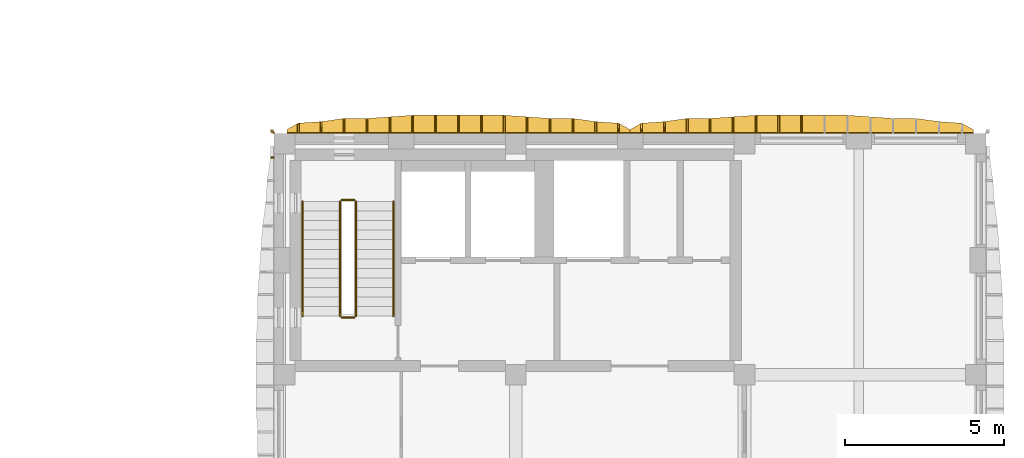
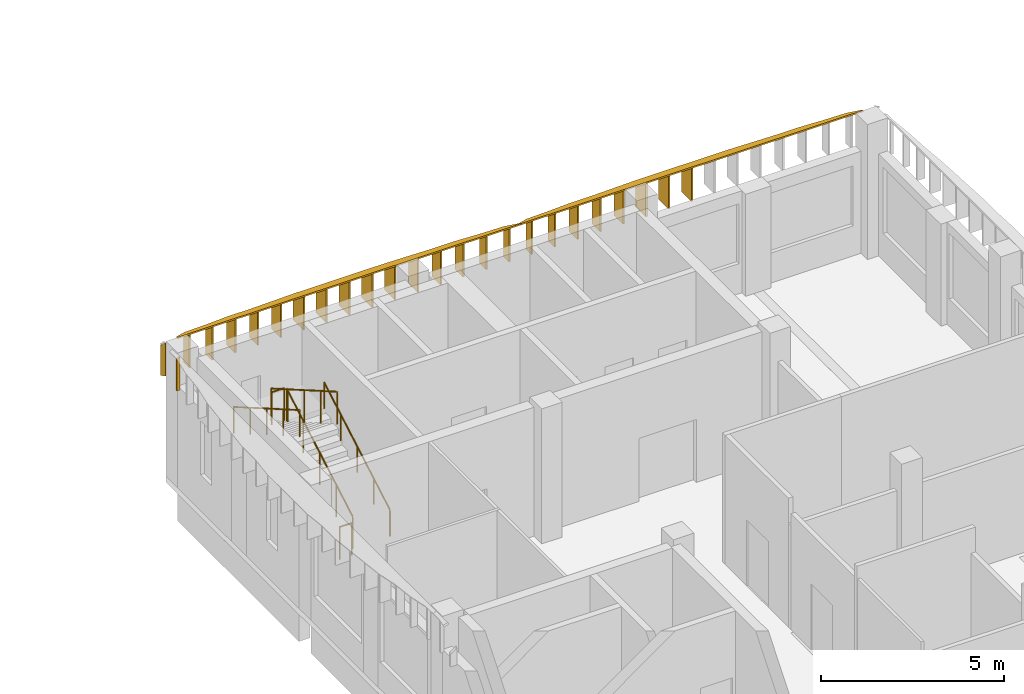
# One storey, part 15 of 24: 27 shading devices, 6 railings.
"""IFC4 building model written with IfcOpenShell, lengths in metres."""

from ifc_helpers import new_model, si_unit, direction, frame, origin, origin_2d, place, context, subcontext, project, spatial, polyline, circle, outline, extrude, material, layer, layer_set, type_object, element, save


model = new_model("IFC4")

# Units and contexts
model_context = context("Model", 3, precision=1e-05, world=origin(), true_north=direction((0.0, 1.0)))
body_context = subcontext(model_context, "Body", "Model", "MODEL_VIEW")
ifc_project = project(units=[si_unit("LENGTHUNIT", "METRE"), si_unit("AREAUNIT", "SQUARE_METRE"), si_unit("VOLUMEUNIT", "CUBIC_METRE"), si_unit("PLANEANGLEUNIT", "RADIAN"), si_unit("MASSUNIT", "GRAM", prefix="KILO")], contexts=[model_context])

# Site, building, storey
site_placement = place(None, origin())
site = spatial("IfcSite", under=ifc_project, at=site_placement, CompositionType="ELEMENT")
building_placement = place(site_placement, origin())
building = spatial("IfcBuilding", under=site, at=building_placement, Name="Ussher Court Research Institute", CompositionType="ELEMENT")
storey_placement = place(building_placement, frame((0.0, 0.0, 32.39990234375)))
storey = spatial("IfcBuildingStorey", under=building, at=storey_placement, Name="L07", CompositionType="ELEMENT", Elevation=32.39990234375)

# Shading devices
ifc_material_1 = material(Name="Bronze anodised aluminium", Category="aluminium")
ifc_layer_1 = layer(ifc_material_1, 0.050048828125)
ifc_layer_set_1 = layer_set([ifc_layer_1], Name="Bronze anodised aluminium")
shading_device_type_1 = type_object("IfcShadingDeviceType", Name="Brim blade 100 mm deep 1100 mm high canted 26 deg wet", PredefinedType="USERDEFINED", material=ifc_layer_set_1)
shading_device_1_placement = place(storey_placement, frame((81.800048828125, 32.43994140625, 3.35009765625), z_axis=(0.0, 0.0, 1.0), x_axis=(-1.0, 0.0, 0.0)))
element("IfcShadingDevice", 1, at=shading_device_1_placement, inside=storey, type_object=shading_device_type_1, Name="Brim blade BS10 L07", ObjectType="BLADE", PredefinedType="USERDEFINED", context=body_context, shape_type="SweptSolid", body=[
    extrude(outline(polyline([(0.0, 0.0), (0.10009765625, 0.0), (0.10009765625, 1.05126953125), (0.0, 1.10009765625), (0.0, 0.0)])), frame((0.0, 0.02490234375, 0.0), z_axis=(0.0, -1.0, 0.0), x_axis=(1.0, 0.0, 0.0)), (0.0, 0.0, 1.0), 0.050048828125),
])
ifc_material_2 = material(Name="Bronze anodised aluminium", Category="aluminium")
ifc_layer_2 = layer(ifc_material_2, 0.050048828125)
ifc_layer_set_2 = layer_set([ifc_layer_2], Name="Bronze anodised aluminium")
shading_device_type_2 = type_object("IfcShadingDeviceType", Name="Brim blade 300 mm deep 1100 mm high canted 26 deg wet", PredefinedType="USERDEFINED", material=ifc_layer_set_2)
for number, where, z_axis, x_axis, name in (
    (2, (82.56005859375, 33.199951171875, 3.35009765625), (0.0, 0.0, 1.0), (0.0, 1.0, 0.0), "Brim blade BS06 L07"),
    (3, (92.639892578125, 33.199951171875, 3.35009765625), (0.0, 0.0, 1.0), (0.0, 1.0, 0.0), "Brim blade BS06 L07"),
    (4, (93.360107421875, 33.199951171875, 3.35009765625), (0.0, 0.0, 1.0), (0.0, 1.0, 0.0), "Brim blade BS06 L07"),
):
    element("IfcShadingDevice", number, at=place(storey_placement, frame(where, z_axis=z_axis, x_axis=x_axis)), inside=storey, type_object=shading_device_type_2, Name=name, ObjectType="BLADE", PredefinedType="USERDEFINED", context=body_context, shape_type="SweptSolid", body=[
        extrude(outline(polyline([(0.0, 0.0), (0.300048828125, 0.0), (0.300048828125, 0.95361328125), (0.0, 1.10009765625), (0.0, 0.0)])), frame((0.0, 0.02490234375, 0.0), z_axis=(0.0, -1.0, 0.0), x_axis=(1.0, 0.0, 0.0)), (0.0, 0.0, 1.0), 0.050048828125),
    ])
ifc_material_3 = material(Name="Bronze anodised aluminium", Category="aluminium")
ifc_layer_3 = layer(ifc_material_3, 0.050048828125)
ifc_layer_set_3 = layer_set([ifc_layer_3], Name="Bronze anodised aluminium")
shading_device_type_3 = type_object("IfcShadingDeviceType", Name="Brim blade 350 mm deep 1100 mm high canted 26 deg wet", PredefinedType="USERDEFINED", material=ifc_layer_set_3)
for number, where, z_axis, x_axis, name in (
    (5, (83.280029296875, 33.199951171875, 3.35009765625), (0.0, 0.0, 1.0), (0.0, 1.0, 0.0), "Brim blade BS05 L07"),
    (6, (91.919921875, 33.199951171875, 3.35009765625), (0.0, 0.0, 1.0), (0.0, 1.0, 0.0), "Brim blade BS05 L07"),
    (7, (94.080078125, 33.199951171875, 3.35009765625), (0.0, 0.0, 1.0), (0.0, 1.0, 0.0), "Brim blade BS05 L07"),
):
    element("IfcShadingDevice", number, at=place(storey_placement, frame(where, z_axis=z_axis, x_axis=x_axis)), inside=storey, type_object=shading_device_type_3, Name=name, ObjectType="BLADE", PredefinedType="USERDEFINED", context=body_context, shape_type="SweptSolid", body=[
        extrude(outline(polyline([(0.0, 0.0), (0.35009765625, 0.0), (0.35009765625, 0.92919921875), (0.0, 1.10009765625), (0.0, 0.0)])), frame((0.0, 0.02490234375, 0.0), z_axis=(0.0, -1.0, 0.0), x_axis=(1.0, 0.0, 0.0)), (0.0, 0.0, 1.0), 0.050048828125),
    ])
ifc_material_4 = material(Name="Bronze anodised aluminium", Category="aluminium")
ifc_layer_4 = layer(ifc_material_4, 0.050048828125)
ifc_layer_set_4 = layer_set([ifc_layer_4], Name="Bronze anodised aluminium")
shading_device_type_4 = type_object("IfcShadingDeviceType", Name="Brim blade 450 mm deep 1100 mm high canted 26 deg wet", PredefinedType="USERDEFINED", material=ifc_layer_set_4)
for number, where, z_axis, x_axis, name in (
    (8, (84.0, 33.199951171875, 3.35009765625), (0.0, 0.0, 1.0), (0.0, 1.0, 0.0), "Brim blade BS03 L07"),
    (9, (84.719970703125, 33.199951171875, 3.35009765625), (0.0, 0.0, 1.0), (0.0, 1.0, 0.0), "Brim blade BS03 L07"),
    (10, (90.47998046875, 33.199951171875, 3.35009765625), (0.0, 0.0, 1.0), (0.0, 1.0, 0.0), "Brim blade BS03 L07"),
    (11, (91.199951171875, 33.199951171875, 3.35009765625), (0.0, 0.0, 1.0), (0.0, 1.0, 0.0), "Brim blade BS03 L07"),
    (12, (94.800048828125, 33.199951171875, 3.35009765625), (0.0, 0.0, 1.0), (0.0, 1.0, 0.0), "Brim blade BS03 L07"),
    (13, (95.52001953125, 33.199951171875, 3.35009765625), (0.0, 0.0, 1.0), (0.0, 1.0, 0.0), "Brim blade BS03 L07"),
):
    element("IfcShadingDevice", number, at=place(storey_placement, frame(where, z_axis=z_axis, x_axis=x_axis)), inside=storey, type_object=shading_device_type_4, Name=name, ObjectType="BLADE", PredefinedType="USERDEFINED", context=body_context, shape_type="SweptSolid", body=[
        extrude(outline(polyline([(0.0, 0.0), (0.449951171875, 0.0), (0.449951171875, 0.880615234375), (0.0, 1.10009765625), (0.0, 0.0)])), frame((0.0, 0.02490234375, 0.0), z_axis=(0.0, -1.0, 0.0), x_axis=(1.0, 0.0, 0.0)), (0.0, 0.0, 1.0), 0.050048828125),
    ])
ifc_material_5 = material(Name="Bronze anodised aluminium", Category="aluminium")
ifc_layer_5 = layer(ifc_material_5, 0.050048828125)
ifc_layer_set_5 = layer_set([ifc_layer_5], Name="Bronze anodised aluminium")
shading_device_type_5 = type_object("IfcShadingDeviceType", Name="Brim blade 500 mm deep 1100 mm high canted 26 deg wet", PredefinedType="USERDEFINED", material=ifc_layer_set_5)
for number, where, z_axis, x_axis, name in (
    (14, (85.43994140625, 33.199951171875, 3.35009765625), (0.0, 0.0, 1.0), (0.0, 1.0, 0.0), "Brim blade BS02 L07"),
    (15, (89.760009765625, 33.199951171875, 3.35009765625), (0.0, 0.0, 1.0), (0.0, 1.0, 0.0), "Brim blade BS02 L07"),
    (16, (96.239990234375, 33.199951171875, 3.35009765625), (0.0, 0.0, 1.0), (0.0, 1.0, 0.0), "Brim blade BS02 L07"),
):
    element("IfcShadingDevice", number, at=place(storey_placement, frame(where, z_axis=z_axis, x_axis=x_axis)), inside=storey, type_object=shading_device_type_5, Name=name, ObjectType="BLADE", PredefinedType="USERDEFINED", context=body_context, shape_type="SweptSolid", body=[
        extrude(outline(polyline([(0.0, 0.0), (0.5, 0.0), (0.5, 0.856201171875), (0.0, 1.10009765625), (0.0, 0.0)])), frame((0.0, 0.02490234375, 0.0), z_axis=(0.0, -1.0, 0.0), x_axis=(1.0, 0.0, 0.0)), (0.0, 0.0, 1.0), 0.050048828125),
    ])
ifc_material_6 = material(Name="Bronze anodised aluminium", Category="aluminium")
ifc_layer_6 = layer(ifc_material_6, 0.050048828125)
ifc_layer_set_6 = layer_set([ifc_layer_6], Name="Bronze anodised aluminium")
shading_device_type_6 = type_object("IfcShadingDeviceType", Name="Brim blade 550 mm deep 1100 mm high canted 26 deg wet", PredefinedType="USERDEFINED", material=ifc_layer_set_6)
for number, where, z_axis, x_axis, name in (
    (17, (86.159912109375, 33.199951171875, 3.35009765625), (0.0, 0.0, 1.0), (0.0, 1.0, 0.0), "Brim blade BS01 L07"),
    (18, (86.8798828125, 33.199951171875, 3.35009765625), (0.0, 0.0, 1.0), (0.0, 1.0, 0.0), "Brim blade BS01 L07"),
    (19, (87.60009765625, 33.199951171875, 3.35009765625), (0.0, 0.0, 1.0), (0.0, 1.0, 0.0), "Brim blade BS01 L07"),
    (20, (88.320068359375, 33.199951171875, 3.35009765625), (0.0, 0.0, 1.0), (0.0, 1.0, 0.0), "Brim blade BS01 L07"),
    (21, (89.0400390625, 33.199951171875, 3.35009765625), (0.0, 0.0, 1.0), (0.0, 1.0, 0.0), "Brim blade BS01 L07"),
    (22, (96.9599609375, 33.199951171875, 3.35009765625), (0.0, 0.0, 1.0), (0.0, 1.0, 0.0), "Brim blade BS01 L07"),
    (23, (97.679931640625, 33.199951171875, 3.35009765625), (0.0, 0.0, 1.0), (0.0, 1.0, 0.0), "Brim blade BS01 L07"),
    (24, (98.39990234375, 33.199951171875, 3.35009765625), (0.0, 0.0, 1.0), (0.0, 1.0, 0.0), "Brim blade BS01 L07"),
):
    element("IfcShadingDevice", number, at=place(storey_placement, frame(where, z_axis=z_axis, x_axis=x_axis)), inside=storey, type_object=shading_device_type_6, Name=name, ObjectType="BLADE", PredefinedType="USERDEFINED", context=body_context, shape_type="SweptSolid", body=[
        extrude(outline(polyline([(0.0, 0.0), (0.550048828125, 0.0), (0.550048828125, 0.831787109375), (0.0, 1.10009765625), (0.0, 0.0)])), frame((0.0, 0.02490234375, 0.0), z_axis=(0.0, -1.0, 0.0), x_axis=(1.0, 0.0, 0.0)), (0.0, 0.0, 1.0), 0.050048828125),
    ])
ifc_material_7 = material(Name="Bronze anodised aluminium", Category="aluminium")
ifc_layer_7 = layer(ifc_material_7, 0.050048828125)
ifc_layer_set_7 = layer_set([ifc_layer_7], Name="Bronze anodised aluminium")
shading_device_type_7 = type_object("IfcShadingDeviceType", Name="Brim mitre blade 100 mm deep 1100 mm high canted 26 deg wet", PredefinedType="USERDEFINED", material=ifc_layer_set_7)
shading_device_2_placement = place(storey_placement, frame((81.800048828125, 33.199951171875, 3.35009765625), z_axis=(0.0, 0.0, 1.0), x_axis=(-0.707106781187, 0.707106781187, 0.0)))
element("IfcShadingDevice", 25, at=shading_device_2_placement, inside=storey, type_object=shading_device_type_7, Name="Brim mitre blade BS18 L07", ObjectType="BLADE", PredefinedType="USERDEFINED", context=body_context, shape_type="SweptSolid", body=[
    extrude(outline(polyline([(0.0, 0.0), (0.1416015625, 0.0), (0.141357421875, 1.00244140625), (0.0, 1.10009765625), (0.0, 0.0)])), frame((0.0, 0.02490234375, 0.0), z_axis=(0.0, -1.0, 0.0), x_axis=(1.0, 0.0, 0.0)), (0.0, 0.0, 1.0), 0.050048828125),
])
ifc_material_8 = material(Name="Bronze anodised aluminium", Category="aluminium")
ifc_layer_8 = layer(ifc_material_8, 0.0400390625)
ifc_layer_set_8 = layer_set([ifc_layer_8], Name="Bronze anodised aluminium")
shading_device_type_8 = type_object("IfcShadingDeviceType", Name="Brim visor sheet 40 mm canted 26 deg wet", PredefinedType="USERDEFINED", material=ifc_layer_set_8)
shading_device_3_placement = place(storey_placement, frame((82.199951171875, 33.217529296875, 4.486083984375), z_axis=(0.0, 0.438493442835, 0.898734388232), x_axis=(1.0, 0.0, 0.0)))
element("IfcShadingDevice", 26, at=shading_device_3_placement, inside=storey, type_object=shading_device_type_8, Name="Brim visor sheet BR1 L07", ObjectType="BRIM", PredefinedType="USERDEFINED", context=body_context, shape_type="SweptSolid", body=[
    extrude(outline(polyline([(0.0, 0.0), (10.800048828125, 0.0), (10.800048828125, 0.11115260091647443), (10.43994140625, 0.3338966378999272), (9.719970703125, 0.3893632295705384), (9.0, 0.5006281939990725), (8.280029296875, 0.5006281939990725), (7.56005859375, 0.5563142032449357), (6.840087890625, 0.612000212490799), (6.1201171875, 0.612000212490799), (5.400146484375, 0.612000212490799), (4.679931640625, 0.612000212490799), (3.9599609375, 0.612000212490799), (3.239990234375, 0.5563142032449357), (2.52001953125, 0.5006281939990725), (1.800048828125, 0.5006281939990725), (1.080078125, 0.3893632295705384), (0.360107421875, 0.3338966378999272), (0.0, 0.11115260091647443), (0.0, 0.0)])), origin(), (0.0, 0.0, -1.0), 0.0400390625),
])
shading_device_4_placement = place(storey_placement, frame((93.0, 33.217529296875, 4.486083984375), z_axis=(0.0, 0.438493442835, 0.898734388232), x_axis=(1.0, 0.0, 0.0)))
element("IfcShadingDevice", 27, at=shading_device_4_placement, inside=storey, type_object=shading_device_type_8, Name="Brim visor sheet BR1 L07", ObjectType="BRIM", PredefinedType="USERDEFINED", context=body_context, shape_type="SweptSolid", body=[
    extrude(outline(polyline([(0.0, 0.0), (10.800048828125, 0.0), (10.800048828125, 0.11115260091647443), (10.43994140625, 0.3338966378999272), (9.719970703125, 0.3893632295705384), (9.0, 0.5006281939990725), (8.280029296875, 0.5006281939990725), (7.56005859375, 0.5563142032449357), (6.840087890625, 0.612000212490799), (6.1201171875, 0.612000212490799), (5.39990234375, 0.612000212490799), (4.679931640625, 0.612000212490799), (3.9599609375, 0.612000212490799), (3.239990234375, 0.5563142032449357), (2.52001953125, 0.5006281939990725), (1.800048828125, 0.5006281939990725), (1.080078125, 0.3893632295705384), (0.360107421875, 0.3338966378999272), (0.0, 0.11115260091647443), (0.0, 0.0)])), origin(), (0.0, 0.0, -1.0), 0.0400390625),
])

# Railings
ifc_material_9 = material(Name="Painted steel balustrade", Category="steel")
railing_type_1 = type_object("IfcRailingType", Name="Stair guard 1100 steel balustrade", PredefinedType="GUARDRAIL", material=ifc_material_9)
railing_1_placement = place(storey_placement, frame((84.3701171875, 27.449951171875, 0.173095703125)))
element("IfcRailing", 28, at=railing_1_placement, inside=storey, type_object=railing_type_1, Name="L07 T1 stair guard 1", PredefinedType="GUARDRAIL", context=body_context, shape_type="SweptSolid", body=[
    extrude(circle(Radius=0.02392578125, at=origin_2d()), frame((0.0, 0.0, 1.076171875), z_axis=(0.0, 0.866193409371, 0.499708892819), x_axis=(-1.0, 0.0, 0.0)), (0.0, 0.0, 1.0), 4.15625),
    extrude(circle(Radius=0.02099609375, at=origin_2d()), origin(), (0.0, 0.0, 1.0), 1.052001953125),
    extrude(circle(Radius=0.02099609375, at=origin_2d()), frame((0.0, 0.89990234375, 0.519287109375)), (0.0, 0.0, 1.0), 1.052001953125),
    extrude(circle(Radius=0.02099609375, at=origin_2d()), frame((0.0, 1.800048828125, 1.03857421875)), (0.0, 0.0, 1.0), 1.052001953125),
    extrude(circle(Radius=0.02099609375, at=origin_2d()), frame((0.0, 2.7001953125, 1.5576171875)), (0.0, 0.0, 1.0), 1.052001953125),
    extrude(circle(Radius=0.02099609375, at=origin_2d()), frame((0.0, 3.60009765625, 2.076904296875)), (0.0, 0.0, 1.0), 1.052001953125),
])
railing_2_placement = place(storey_placement, frame((84.320068359375, 31.10009765625, 2.25)))
element("IfcRailing", 29, at=railing_2_placement, inside=storey, type_object=railing_type_1, Name="L07 T1 stair guard 2", PredefinedType="GUARDRAIL", context=body_context, shape_type="SweptSolid", body=[
    extrude(circle(Radius=0.02392578125, at=origin_2d()), frame((0.0, 0.0, 1.076171875), z_axis=(-1.0, 0.0, 0.0), x_axis=(0.0, -1.0, 0.0)), (0.0, 0.0, 1.0), 0.39013671875),
    extrude(circle(Radius=0.02099609375, at=origin_2d()), origin(), (0.0, 0.0, 1.0), 1.052001953125),
    extrude(circle(Radius=0.02099609375, at=origin_2d()), frame((-0.39013671875, 0.0, 0.0)), (0.0, 0.0, 1.0), 1.052001953125),
])
railing_3_placement = place(storey_placement, frame((83.8798828125, 31.050048828125, 2.423095703125)))
element("IfcRailing", 30, at=railing_3_placement, inside=storey, type_object=railing_type_1, Name="L07 T1 stair guard 3", PredefinedType="GUARDRAIL", context=body_context, shape_type="SweptSolid", body=[
    extrude(circle(Radius=0.02392578125, at=origin_2d()), frame((0.0, 0.0, 1.076171875), z_axis=(0.0, -0.866193409371, 0.499708892819), x_axis=(1.0, 0.0, 0.0)), (0.0, 0.0, 1.0), 4.15625),
    extrude(circle(Radius=0.02099609375, at=origin_2d()), origin(), (0.0, 0.0, 1.0), 1.052001953125),
    extrude(circle(Radius=0.02099609375, at=origin_2d()), frame((0.0, -0.89990234375, 0.519287109375)), (0.0, 0.0, 1.0), 1.052001953125),
    extrude(circle(Radius=0.02099609375, at=origin_2d()), frame((0.0, -1.800048828125, 1.03857421875)), (0.0, 0.0, 1.0), 1.052001953125),
    extrude(circle(Radius=0.02099609375, at=origin_2d()), frame((0.0, -2.7001953125, 1.5576171875)), (0.0, 0.0, 1.0), 1.052001953125),
    extrude(circle(Radius=0.02099609375, at=origin_2d()), frame((0.0, -3.60009765625, 2.076904296875)), (0.0, 0.0, 1.0), 1.052001953125),
])
railing_4_placement = place(storey_placement, frame((84.320068359375, 27.39990234375, 0.0)))
element("IfcRailing", 31, at=railing_4_placement, inside=storey, type_object=railing_type_1, Name="L07 T1 stair guard 4", PredefinedType="GUARDRAIL", context=body_context, shape_type="SweptSolid", body=[
    extrude(circle(Radius=0.02392578125, at=origin_2d()), frame((0.0, 0.0, 1.076171875), z_axis=(-1.0, 0.0, 0.0), x_axis=(0.0, -1.0, 0.0)), (0.0, 0.0, 1.0), 0.39013671875),
    extrude(circle(Radius=0.02099609375, at=origin_2d()), origin(), (0.0, 0.0, 1.0), 1.052001953125),
    extrude(circle(Radius=0.02099609375, at=origin_2d()), frame((-0.39013671875, 0.0, 0.0)), (0.0, 0.0, 1.0), 1.052001953125),
])
ifc_material_10 = material(Name="Painted steel handrail", Category="steel")
railing_type_2 = type_object("IfcRailingType", Name="Stair handrail 900 steel", PredefinedType="HANDRAIL", material=ifc_material_10)
railing_5_placement = place(storey_placement, frame((85.550048828125, 27.449951171875, 0.173095703125)))
element("IfcRailing", 32, at=railing_5_placement, inside=storey, type_object=railing_type_2, Name="L07 T1 stair handrail 1", PredefinedType="HANDRAIL", context=body_context, shape_type="SweptSolid", body=[
    extrude(circle(Radius=0.02392578125, at=origin_2d()), frame((0.0, 0.0, 0.8759765625), z_axis=(0.0, 0.866193409371, 0.499708892819), x_axis=(-1.0, 0.0, 0.0)), (0.0, 0.0, 1.0), 4.15625),
    extrude(circle(Radius=0.02099609375, at=origin_2d()), origin(), (0.0, 0.0, 1.0), 0.851806640625),
    extrude(circle(Radius=0.02099609375, at=origin_2d()), frame((0.0, 0.89990234375, 0.519287109375)), (0.0, 0.0, 1.0), 0.851806640625),
    extrude(circle(Radius=0.02099609375, at=origin_2d()), frame((0.0, 1.800048828125, 1.03857421875)), (0.0, 0.0, 1.0), 0.851806640625),
    extrude(circle(Radius=0.02099609375, at=origin_2d()), frame((0.0, 2.7001953125, 1.5576171875)), (0.0, 0.0, 1.0), 0.851806640625),
    extrude(circle(Radius=0.02099609375, at=origin_2d()), frame((0.0, 3.60009765625, 2.076904296875)), (0.0, 0.0, 1.0), 0.851806640625),
])
railing_6_placement = place(storey_placement, frame((82.699951171875, 31.050048828125, 2.423095703125)))
element("IfcRailing", 33, at=railing_6_placement, inside=storey, type_object=railing_type_2, Name="L07 T1 stair handrail 2", PredefinedType="HANDRAIL", context=body_context, shape_type="SweptSolid", body=[
    extrude(circle(Radius=0.02392578125, at=origin_2d()), frame((0.0, 0.0, 0.8759765625), z_axis=(0.0, -0.866193409371, 0.499708892819), x_axis=(1.0, 0.0, 0.0)), (0.0, 0.0, 1.0), 4.15625),
    extrude(circle(Radius=0.02099609375, at=origin_2d()), origin(), (0.0, 0.0, 1.0), 0.851806640625),
    extrude(circle(Radius=0.02099609375, at=origin_2d()), frame((0.0, -0.89990234375, 0.519287109375)), (0.0, 0.0, 1.0), 0.851806640625),
    extrude(circle(Radius=0.02099609375, at=origin_2d()), frame((0.0, -1.800048828125, 1.03857421875)), (0.0, 0.0, 1.0), 0.851806640625),
    extrude(circle(Radius=0.02099609375, at=origin_2d()), frame((0.0, -2.7001953125, 1.5576171875)), (0.0, 0.0, 1.0), 0.851806640625),
    extrude(circle(Radius=0.02099609375, at=origin_2d()), frame((0.0, -3.60009765625, 2.076904296875)), (0.0, 0.0, 1.0), 0.851806640625),
])

save(model, "model.ifc")
